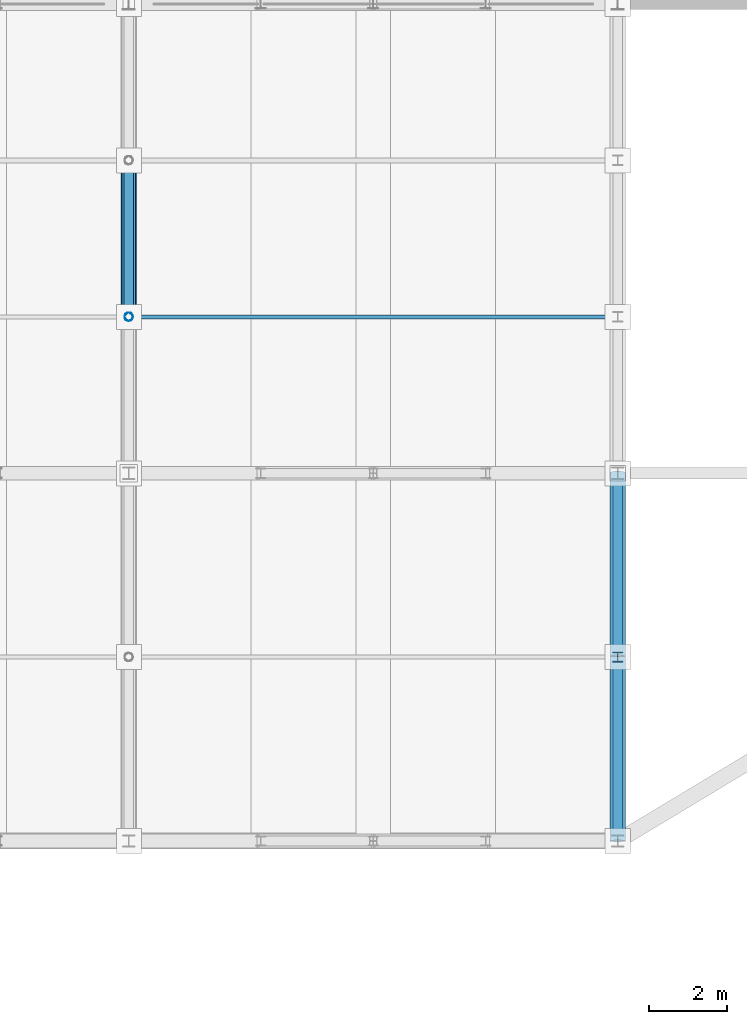
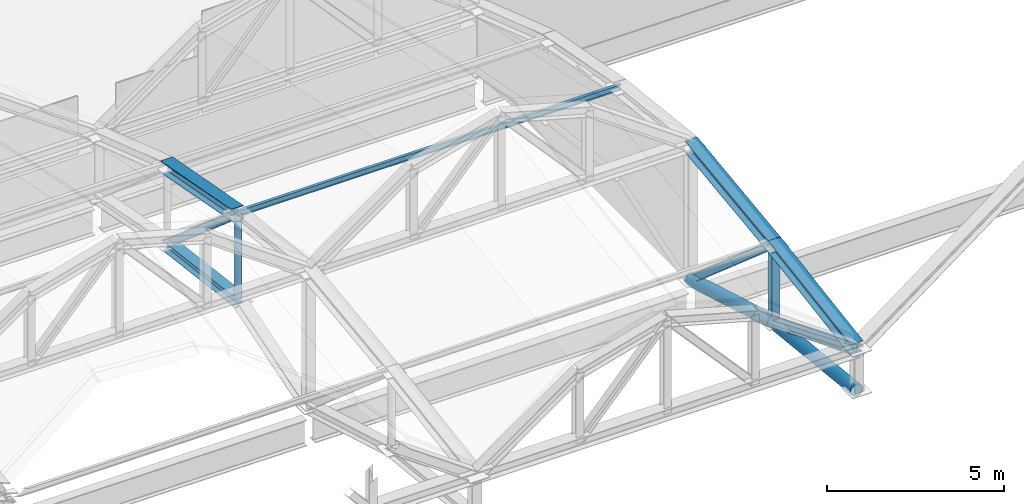
# One storey, part 70 of 117: 12 members.
"""IFC4 building model written with IfcOpenShell, lengths in metres."""

from ifc_helpers import new_model, si_unit, direction, frame, origin, origin_2d, place, context, subcontext, project, spatial, hollow_circle, i_section, extrude, material, material_profile, profile_set, type_object, element, save


model = new_model("IFC4")

# Units and contexts
model_context = context("Model", 3, precision=1e-05, world=origin(), true_north=direction((0.0, 1.0)))
body_context = subcontext(model_context, "Body", "Model", "MODEL_VIEW")
ifc_project = project(units=[si_unit("LENGTHUNIT", "METRE"), si_unit("AREAUNIT", "SQUARE_METRE"), si_unit("VOLUMEUNIT", "CUBIC_METRE"), si_unit("PLANEANGLEUNIT", "RADIAN"), si_unit("MASSUNIT", "GRAM", prefix="KILO")], contexts=[model_context])

# Site, building, storey
site_placement = place(None, origin())
site = spatial("IfcSite", under=ifc_project, at=site_placement, CompositionType="ELEMENT")
building_placement = place(site_placement, origin())
building = spatial("IfcBuilding", under=site, at=building_placement, Name="Kazenohara Klinker Stadium", CompositionType="ELEMENT")
storey_placement = place(building_placement, frame((0.0, 0.0, 31.199951171875)))
storey = spatial("IfcBuildingStorey", under=building, at=storey_placement, Name="RF", CompositionType="ELEMENT", Elevation=31.199951171875)

# Members
ifc_material = material(Name="Steel S355", Category="steel")
ifc_material_profile_1 = material_profile(ifc_material, i_section(OverallWidth=0.25, OverallDepth=0.25, WebThickness=0.009033203125, FlangeThickness=0.013916015625, FilletRadius=0.012939453125, at=origin_2d()), Name="H-250x250x9x14")
ifc_profile_set_1 = profile_set([ifc_material_profile_1], Name="Steel S355")
member_type_1 = type_object("IfcMemberType", Name="MEM-BRC02", PredefinedType="BRACE", material=ifc_profile_set_1)
member_1_placement = place(storey_placement, frame((137.5, 140.0, 0.75), z_axis=(0.0, -0.757253091298, 0.653121547432), x_axis=(1.0, 0.0, 0.0)))
element("IfcMember", 1, at=member_1_placement, inside=storey, type_object=member_type_1, Name="ROOF TRUSS RT-N07 web diagonal 2", PredefinedType="BRACE", context=body_context, shape_type="SweptSolid", body=[
    extrude(i_section(OverallWidth=0.25, OverallDepth=0.25, WebThickness=0.009033203125, FlangeThickness=0.013916015625, FilletRadius=0.012939453125, at=origin_2d()), origin(), (0.0, 0.0, 1.0), 5.2822265625),
])
member_2_placement = place(storey_placement, frame((150.0, 132.0, -0.02001953125), z_axis=(0.0, -0.755945561544, 0.65463448426), x_axis=(1.0, 0.0, 0.0)))
element("IfcMember", 2, at=member_2_placement, inside=storey, type_object=member_type_1, Name="ROOF TRUSS RT-N08 web diagonal 4", PredefinedType="BRACE", context=body_context, shape_type="SweptSolid", body=[
    extrude(i_section(OverallWidth=0.25, OverallDepth=0.25, WebThickness=0.009033203125, FlangeThickness=0.013916015625, FilletRadius=0.012939453125, at=origin_2d()), origin(), (0.0, 0.0, 1.0), 6.21728515625),
])
member_3_placement = place(storey_placement, frame((150.0, 127.300048828125, 1.35009765625), z_axis=(0.0, -0.923659284192, 0.383214726655), x_axis=(1.0, 0.0, 0.0)))
element("IfcMember", 3, at=member_3_placement, inside=storey, type_object=member_type_1, Name="ROOF TRUSS RT-N08 web diagonal 5", PredefinedType="BRACE", context=body_context, shape_type="SweptSolid", body=[
    extrude(i_section(OverallWidth=0.25, OverallDepth=0.25, WebThickness=0.009033203125, FlangeThickness=0.013916015625, FilletRadius=0.012939453125, at=origin_2d()), origin(), (0.0, 0.0, 1.0), 5.08837890625),
])
ifc_material_profile_2 = material_profile(ifc_material, i_section(OverallWidth=0.39990234375, OverallDepth=0.39990234375, WebThickness=0.012939453125, FlangeThickness=0.02099609375, FilletRadius=0.02197265625, at=origin_2d()), Name="H-400x400x13x21")
ifc_profile_set_2 = profile_set([ifc_material_profile_2], Name="Steel S355")
member_type_2 = type_object("IfcMemberType", Name="MEM-CHD01", PredefinedType="CHORD", material=ifc_profile_set_2)
member_4_placement = place(storey_placement, frame((137.5, 140.0, 3.449951171875), z_axis=(0.0, -0.982872186934, 0.18428853505), x_axis=(1.0, 0.0, 0.0)))
element("IfcMember", 4, at=member_4_placement, inside=storey, type_object=member_type_2, Name="ROOF TRUSS RT-N07 top arched chord 2", PredefinedType="CHORD", context=body_context, shape_type="SweptSolid", body=[
    extrude(i_section(OverallWidth=0.39990234375, OverallDepth=0.39990234375, WebThickness=0.012939453125, FlangeThickness=0.02099609375, FilletRadius=0.02197265625, at=origin_2d()), origin(), (0.0, 0.0, 1.0), 4.06982421875),
])
member_5_placement = place(storey_placement, frame((150.0, 132.0, 4.650146484375), z_axis=(0.0, -0.99194702514, -0.126653461524), x_axis=(1.0, 0.0, 0.0)))
element("IfcMember", 5, at=member_5_placement, inside=storey, type_object=member_type_2, Name="ROOF TRUSS RT-N08 top arched chord 4", PredefinedType="CHORD", context=body_context, shape_type="SweptSolid", body=[
    extrude(i_section(OverallWidth=0.39990234375, OverallDepth=0.39990234375, WebThickness=0.012939453125, FlangeThickness=0.02099609375, FilletRadius=0.02197265625, at=origin_2d()), origin(), (0.0, 0.0, 1.0), 4.738037109375),
])
member_6_placement = place(storey_placement, frame((150.0, 127.300048828125, 4.050048828125), z_axis=(0.0, -0.987505848374, -0.157582357602), x_axis=(1.0, 0.0, 0.0)))
element("IfcMember", 6, at=member_6_placement, inside=storey, type_object=member_type_2, Name="ROOF TRUSS RT-N08 top arched chord 5", PredefinedType="CHORD", context=body_context, shape_type="SweptSolid", body=[
    extrude(i_section(OverallWidth=0.39990234375, OverallDepth=0.39990234375, WebThickness=0.012939453125, FlangeThickness=0.02099609375, FilletRadius=0.02197265625, at=origin_2d()), origin(), (0.0, 0.0, 1.0), 4.759521484375),
])
ifc_material_profile_3 = material_profile(ifc_material, i_section(OverallWidth=0.35009765625, OverallDepth=0.35009765625, WebThickness=0.011962890625, FlangeThickness=0.01904296875, FilletRadius=0.012939453125, at=origin_2d()), Name="H-350x350x12x19")
ifc_profile_set_3 = profile_set([ifc_material_profile_3], Name="Steel S355")
member_type_3 = type_object("IfcMemberType", Name="MEM-CHD02", PredefinedType="CHORD", material=ifc_profile_set_3)
member_7_placement = place(storey_placement, frame((137.5, 140.0, 0.75), z_axis=(0.0, -0.992277876714, 0.124034734589), x_axis=(1.0, 0.0, 0.0)))
element("IfcMember", 7, at=member_7_placement, inside=storey, type_object=member_type_3, Name="ROOF TRUSS RT-N07 bottom arched chord 2", PredefinedType="CHORD", context=body_context, shape_type="SweptSolid", body=[
    extrude(i_section(OverallWidth=0.35009765625, OverallDepth=0.35009765625, WebThickness=0.011962890625, FlangeThickness=0.01904296875, FilletRadius=0.012939453125, at=origin_2d()), origin(), (0.0, 0.0, 1.0), 4.03125),
])
ifc_material_profile_4 = material_profile(ifc_material, hollow_circle(Radius=0.203125, WallThickness=0.011962890625, at=origin_2d()), Name="CHS-406.4x12")
ifc_profile_set_4 = profile_set([ifc_material_profile_4], Name="Steel S355")
member_type_4 = type_object("IfcMemberType", Name="MEM-CHD03", PredefinedType="CHORD", material=ifc_profile_set_4)
member_8_placement = place(storey_placement, frame((150.0, 132.0, -0.02001953125), z_axis=(0.0, -0.960038530088, 0.279867863012), x_axis=(1.0, 0.0, 0.0)))
element("IfcMember", 8, at=member_8_placement, inside=storey, type_object=member_type_4, Name="ROOF TRUSS RT-N08 bottom arched chord 4", PredefinedType="CHORD", context=body_context, shape_type="SweptSolid", body=[
    extrude(hollow_circle(Radius=0.203125, WallThickness=0.011962890625, at=origin_2d()), origin(), (0.0, 0.0, 1.0), 4.8955078125),
])
member_9_placement = place(storey_placement, frame((150.0, 127.300048828125, 1.35009765625), z_axis=(0.0, -0.99438879757, 0.105787141313), x_axis=(1.0, 0.0, 0.0)))
element("IfcMember", 9, at=member_9_placement, inside=storey, type_object=member_type_4, Name="ROOF TRUSS RT-N08 bottom arched chord 5", PredefinedType="CHORD", context=body_context, shape_type="SweptSolid", body=[
    extrude(hollow_circle(Radius=0.203125, WallThickness=0.011962890625, at=origin_2d()), origin(), (0.0, 0.0, 1.0), 4.7265625),
])
ifc_material_profile_5 = material_profile(ifc_material, i_section(OverallWidth=0.10009765625, OverallDepth=0.199951171875, WebThickness=0.005615234375, FlangeThickness=0.008056640625, FilletRadius=0.008056640625, at=origin_2d()), Name="H-200x100x5.5x8")
ifc_profile_set_5 = profile_set([ifc_material_profile_5], Name="Steel S355")
member_type_5 = type_object("IfcMemberType", Name="MEM-PUR02", PredefinedType="PURLIN", material=ifc_profile_set_5)
member_10_placement = place(storey_placement, frame((137.5, 136.0, 4.219970703125), z_axis=(1.0, 0.0, 0.0), x_axis=(0.0, 1.0, 0.0)))
element("IfcMember", 10, at=member_10_placement, inside=storey, type_object=member_type_5, Name="Canopy valley tie purlin PR02 N-07-N2", PredefinedType="PURLIN", context=body_context, shape_type="SweptSolid", body=[
    extrude(i_section(OverallWidth=0.10009765625, OverallDepth=0.199951171875, WebThickness=0.005615234375, FlangeThickness=0.008056640625, FilletRadius=0.008056640625, at=origin_2d()), origin(), (0.0, 0.0, 1.0), 12.5),
])
ifc_material_profile_6 = material_profile(ifc_material, i_section(OverallWidth=0.25, OverallDepth=0.25, WebThickness=0.009033203125, FlangeThickness=0.013916015625, FilletRadius=0.012939453125, at=origin_2d()), Name="H-250x250x9x14")
ifc_profile_set_6 = profile_set([ifc_material_profile_6], Name="Steel S355")
member_type_6 = type_object("IfcMemberType", Name="MEM-STR02", PredefinedType="STRUT", material=ifc_profile_set_6)
member_11_placement = place(storey_placement, frame((150.0, 127.300048828125, 1.35009765625), z_axis=(0.0, 0.0, 1.0), x_axis=(1.0, 0.0, 0.0)))
element("IfcMember", 11, at=member_11_placement, inside=storey, type_object=member_type_6, Name="ROOF TRUSS RT-N08 web post 5", PredefinedType="STRUT", context=body_context, shape_type="SweptSolid", body=[
    extrude(i_section(OverallWidth=0.25, OverallDepth=0.25, WebThickness=0.009033203125, FlangeThickness=0.013916015625, FilletRadius=0.012939453125, at=origin_2d()), origin(), (0.0, 0.0, 1.0), 2.699951171875),
])
ifc_material_profile_7 = material_profile(ifc_material, hollow_circle(Radius=0.108154296875, WallThickness=0.008056640625, at=origin_2d()), Name="CHS-216.3x8")
ifc_profile_set_7 = profile_set([ifc_material_profile_7], Name="Steel S355")
member_type_7 = type_object("IfcMemberType", Name="MEM-STR04", PredefinedType="STRUT", material=ifc_profile_set_7)
member_12_placement = place(storey_placement, frame((137.5, 136.0, 1.25), z_axis=(0.0, 0.0, 1.0), x_axis=(1.0, 0.0, 0.0)))
element("IfcMember", 12, at=member_12_placement, inside=storey, type_object=member_type_7, Name="ROOF TRUSS RT-N07 web post 3", PredefinedType="STRUT", context=body_context, shape_type="SweptSolid", body=[
    extrude(hollow_circle(Radius=0.108154296875, WallThickness=0.008056640625, at=origin_2d()), origin(), (0.0, 0.0, 1.0), 2.949951171875),
])

save(model, "model.ifc")
